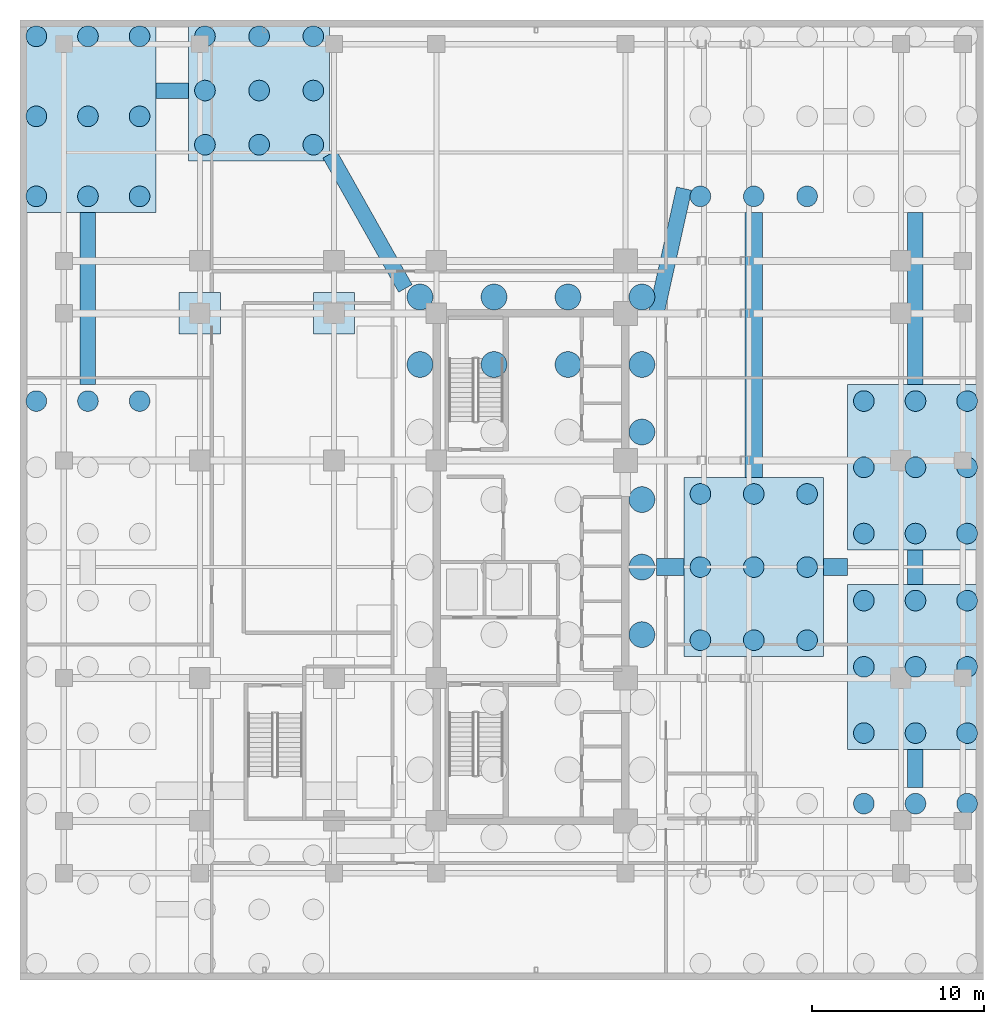
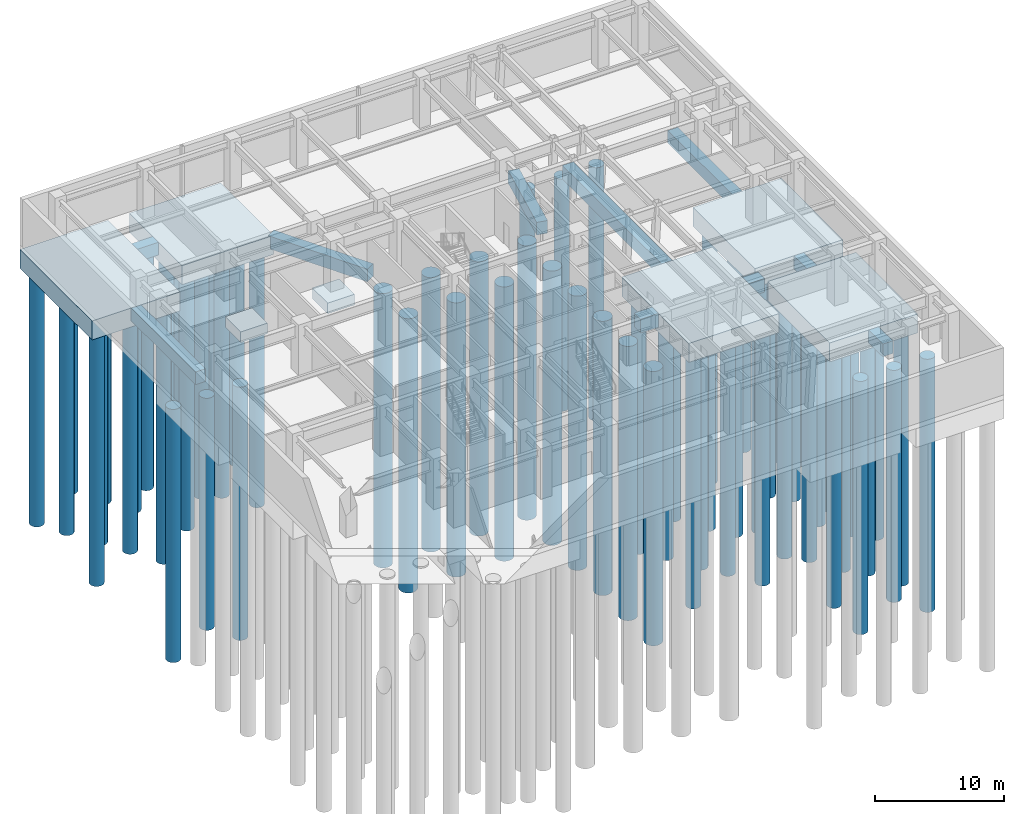
# One storey, part 2 of 13: 66 piles, 17 footings.
"""IFC4 building model written with IfcOpenShell, lengths in metres."""

from ifc_helpers import new_model, si_unit, direction, frame, origin, origin_2d, place, context, subcontext, project, spatial, polyline, rectangle, circle, outline, extrude, material, layer, layer_set, material_profile, profile_set, type_object, element, save


model = new_model("IFC4")

# Units and contexts
model_context = context("Model", 3, precision=1e-05, world=origin(), true_north=direction((0.0, 1.0)))
body_context = subcontext(model_context, "Body", "Model", "MODEL_VIEW")
ifc_project = project(units=[si_unit("LENGTHUNIT", "METRE"), si_unit("AREAUNIT", "SQUARE_METRE"), si_unit("VOLUMEUNIT", "CUBIC_METRE"), si_unit("PLANEANGLEUNIT", "RADIAN"), si_unit("MASSUNIT", "GRAM", prefix="KILO")], contexts=[model_context])

# Site, building, storey
site_placement = place(None, origin())
site = spatial("IfcSite", under=ifc_project, at=site_placement, CompositionType="ELEMENT")
building_placement = place(site_placement, origin())
building = spatial("IfcBuilding", under=site, at=building_placement, Name="Ochreholt Gables", CompositionType="ELEMENT")
storey_placement = place(building_placement, frame((0.0, 0.0, -9.60009765625)))
storey = spatial("IfcBuildingStorey", under=building, at=storey_placement, Name="B2", CompositionType="ELEMENT", Elevation=-9.60009765625)

# Footings
ifc_material_1 = material(Name="Concrete 50 MPa", Category="concrete")
ifc_material_profile_1 = material_profile(ifc_material_1, rectangle(XDim=1.0, YDim=1.300048828125, at=origin_2d()), Name="FB1000X1300")
ifc_profile_set_1 = profile_set([ifc_material_profile_1], Name="Concrete 50 MPa")
footing_type_1 = type_object("IfcFootingType", Name="FTG-BM-1000X1300", PredefinedType="FOOTING_BEAM", material=ifc_profile_set_1)
footing_1_placement = place(storey_placement, frame((42.64990234375, 29.199951171875, -1.099853515625), z_axis=(0.0, 1.0, 0.0), x_axis=(-1.0, 0.0, 0.0)))
element("IfcFooting", 1, at=footing_1_placement, inside=storey, type_object=footing_type_1, Name="Foundation Grade Beam FB-ME2", PredefinedType="FOOTING_BEAM", context=body_context, shape_type="SweptSolid", body=[
    extrude(rectangle(XDim=1.0, YDim=1.300048828125, at=origin_2d()), origin(), (0.0, 0.0, 1.0), 15.400146484375),
])
footing_2_placement = place(storey_placement, frame((37.0, 24.0, -1.099853515625), z_axis=(1.0, 0.0, 0.0), x_axis=(0.0, 1.0, 0.0)))
element("IfcFooting", 2, at=footing_2_placement, inside=storey, type_object=footing_type_1, Name="Foundation Grade Beam FB-C2", PredefinedType="FOOTING_BEAM", context=body_context, shape_type="SweptSolid", body=[
    extrude(rectangle(XDim=1.0, YDim=1.300048828125, at=origin_2d()), origin(), (0.0, 0.0, 1.0), 1.60009765625),
])
footing_3_placement = place(storey_placement, frame((46.699951171875, 24.0, -1.099853515625), z_axis=(1.0, 0.0, 0.0), x_axis=(0.0, 1.0, 0.0)))
element("IfcFooting", 3, at=footing_3_placement, inside=storey, type_object=footing_type_1, Name="Foundation Grade Beam FB-C3", PredefinedType="FOOTING_BEAM", context=body_context, shape_type="SweptSolid", body=[
    extrude(rectangle(XDim=1.0, YDim=1.300048828125, at=origin_2d()), origin(), (0.0, 0.0, 1.0), 1.400146484375),
])
ifc_material_profile_2 = material_profile(ifc_material_1, rectangle(XDim=0.89990234375, YDim=1.199951171875, at=origin_2d()), Name="FB900X1200")
ifc_profile_set_2 = profile_set([ifc_material_profile_2], Name="Concrete 50 MPa")
footing_type_2 = type_object("IfcFootingType", Name="FTG-BM-900X1200", PredefinedType="FOOTING_BEAM", material=ifc_profile_set_2)
footing_4_placement = place(storey_placement, frame((3.949951171875, 34.60009765625, -1.0498046875), z_axis=(0.0, 1.0, 0.0), x_axis=(-1.0, 0.0, 0.0)))
element("IfcFooting", 4, at=footing_4_placement, inside=storey, type_object=footing_type_2, Name="Foundation Grade Beam FB-W3", PredefinedType="FOOTING_BEAM", context=body_context, shape_type="SweptSolid", body=[
    extrude(rectangle(XDim=0.89990234375, YDim=1.199951171875, at=origin_2d()), origin(), (0.0, 0.0, 1.0), 10.0),
])
footing_5_placement = place(storey_placement, frame((52.050048828125, 11.199951171875, -1.0498046875), z_axis=(0.0, 1.0, 0.0), x_axis=(-1.0, 0.0, 0.0)))
element("IfcFooting", 5, at=footing_5_placement, inside=storey, type_object=footing_type_2, Name="Foundation Grade Beam FB-E1", PredefinedType="FOOTING_BEAM", context=body_context, shape_type="SweptSolid", body=[
    extrude(rectangle(XDim=0.89990234375, YDim=1.199951171875, at=origin_2d()), origin(), (0.0, 0.0, 1.0), 2.199951171875),
])
footing_6_placement = place(storey_placement, frame((52.050048828125, 23.0, -1.0498046875), z_axis=(0.0, 1.0, 0.0), x_axis=(-1.0, 0.0, 0.0)))
element("IfcFooting", 6, at=footing_6_placement, inside=storey, type_object=footing_type_2, Name="Foundation Grade Beam FB-E2", PredefinedType="FOOTING_BEAM", context=body_context, shape_type="SweptSolid", body=[
    extrude(rectangle(XDim=0.89990234375, YDim=1.199951171875, at=origin_2d()), origin(), (0.0, 0.0, 1.0), 2.0),
])
footing_7_placement = place(storey_placement, frame((52.050048828125, 34.60009765625, -1.0498046875), z_axis=(0.0, 1.0, 0.0), x_axis=(-1.0, 0.0, 0.0)))
element("IfcFooting", 7, at=footing_7_placement, inside=storey, type_object=footing_type_2, Name="Foundation Grade Beam FB-E3", PredefinedType="FOOTING_BEAM", context=body_context, shape_type="SweptSolid", body=[
    extrude(rectangle(XDim=0.89990234375, YDim=1.199951171875, at=origin_2d()), origin(), (0.0, 0.0, 1.0), 10.0),
])
footing_8_placement = place(storey_placement, frame((7.89990234375, 51.699951171875, -1.0498046875), z_axis=(1.0, 0.0, 0.0), x_axis=(0.0, 1.0, 0.0)))
element("IfcFooting", 8, at=footing_8_placement, inside=storey, type_object=footing_type_2, Name="Foundation Grade Beam FB-N1", PredefinedType="FOOTING_BEAM", context=body_context, shape_type="SweptSolid", body=[
    extrude(rectangle(XDim=0.89990234375, YDim=1.199951171875, at=origin_2d()), origin(), (0.0, 0.0, 1.0), 1.900146484375),
])
footing_9_placement = place(storey_placement, frame((18.0, 48.0, -1.0498046875), z_axis=(0.491310581342, -0.870984450299, 0.0), x_axis=(0.870984450299, 0.491310581342, 0.0)))
element("IfcFooting", 9, at=footing_9_placement, inside=storey, type_object=footing_type_2, Name="Foundation Grade Beam FB-N2", PredefinedType="FOOTING_BEAM", context=body_context, shape_type="SweptSolid", body=[
    extrude(rectangle(XDim=0.89990234375, YDim=1.199951171875, at=origin_2d()), origin(), (0.0, 0.0, 1.0), 8.955322265625),
])
footing_10_placement = place(storey_placement, frame((37.0, 38.800048828125, -1.0498046875), z_axis=(0.216944477077, 0.976183944688, 0.0), x_axis=(-0.976183944688, 0.216944477077, 0.0)))
element("IfcFooting", 10, at=footing_10_placement, inside=storey, type_object=footing_type_2, Name="Foundation Grade Beam FB-N3", PredefinedType="FOOTING_BEAM", context=body_context, shape_type="SweptSolid", body=[
    extrude(rectangle(XDim=0.89990234375, YDim=1.199951171875, at=origin_2d()), origin(), (0.0, 0.0, 1.0), 7.37548828125),
])
ifc_layer_1 = layer(ifc_material_1, 1.800048828125, Name="Concrete 50 MPa")
ifc_layer_set_1 = layer_set([ifc_layer_1], Name="Concrete 50 MPa")
footing_type_3 = type_object("IfcFootingType", Name="FTG-CAP-A", PredefinedType="PILE_CAP", material=ifc_layer_set_1)
footing_11_placement = place(storey_placement, frame((0.0, 0.0, -2.25)))
element("IfcFooting", 11, at=footing_11_placement, inside=storey, type_object=footing_type_3, Name="Perimeter Pile Cap CAP-NW", PredefinedType="PILE_CAP", context=body_context, shape_type="SweptSolid", body=[
    extrude(outline(polyline([(0.0, 44.60009765625), (7.89990234375, 44.60009765625), (7.89990234375, 55.800048828125), (0.0, 55.800048828125), (0.0, 44.60009765625)])), origin(), (0.0, 0.0, 1.0), 1.800048828125),
])
footing_12_placement = place(storey_placement, frame((0.0, 0.0, -2.25)))
element("IfcFooting", 12, at=footing_12_placement, inside=storey, type_object=footing_type_3, Name="Perimeter Pile Cap CAP-E1", PredefinedType="PILE_CAP", context=body_context, shape_type="SweptSolid", body=[
    extrude(outline(polyline([(48.10009765625, 13.39990234375), (56.0, 13.39990234375), (56.0, 23.0), (48.10009765625, 23.0), (48.10009765625, 13.39990234375)])), origin(), (0.0, 0.0, 1.0), 1.800048828125),
])
footing_13_placement = place(storey_placement, frame((0.0, 0.0, -2.25)))
element("IfcFooting", 13, at=footing_13_placement, inside=storey, type_object=footing_type_3, Name="Perimeter Pile Cap CAP-E2", PredefinedType="PILE_CAP", context=body_context, shape_type="SweptSolid", body=[
    extrude(outline(polyline([(48.10009765625, 25.0), (56.0, 25.0), (56.0, 34.60009765625), (48.10009765625, 34.60009765625), (48.10009765625, 25.0)])), origin(), (0.0, 0.0, 1.0), 1.800048828125),
])
ifc_layer_2 = layer(ifc_material_1, 1.800048828125, Name="Concrete 50 MPa")
ifc_layer_set_2 = layer_set([ifc_layer_2], Name="Concrete 50 MPa")
footing_type_4 = type_object("IfcFootingType", Name="FTG-CAP-B", PredefinedType="PILE_CAP", material=ifc_layer_set_2)
footing_14_placement = place(storey_placement, frame((0.0, 0.0, -2.25)))
element("IfcFooting", 14, at=footing_14_placement, inside=storey, type_object=footing_type_4, Name="Perimeter Pile Cap CAP-ME", PredefinedType="PILE_CAP", context=body_context, shape_type="SweptSolid", body=[
    extrude(outline(polyline([(38.60009765625, 18.800048828125), (46.699951171875, 18.800048828125), (46.699951171875, 29.199951171875), (38.60009765625, 29.199951171875), (38.60009765625, 18.800048828125)])), origin(), (0.0, 0.0, 1.0), 1.800048828125),
])
ifc_layer_3 = layer(ifc_material_1, 1.800048828125, Name="Concrete 50 MPa")
ifc_layer_set_3 = layer_set([ifc_layer_3], Name="Concrete 50 MPa")
footing_type_5 = type_object("IfcFootingType", Name="FTG-CAP-C", PredefinedType="PILE_CAP", material=ifc_layer_set_3)
footing_15_placement = place(storey_placement, frame((0.0, 0.0, -2.25)))
element("IfcFooting", 15, at=footing_15_placement, inside=storey, type_object=footing_type_5, Name="Perimeter Pile Cap CAP-MNW", PredefinedType="PILE_CAP", context=body_context, shape_type="SweptSolid", body=[
    extrude(outline(polyline([(9.800048828125, 47.60009765625), (18.0, 47.60009765625), (18.0, 55.800048828125), (9.800048828125, 55.800048828125), (9.800048828125, 47.60009765625)])), origin(), (0.0, 0.0, 1.0), 1.800048828125),
])
ifc_material_2 = material(Name="Concrete 40 MPa", Category="concrete")
ifc_layer_4 = layer(ifc_material_2, 1.0, Name="Concrete 40 MPa")
ifc_layer_set_4 = layer_set([ifc_layer_4], Name="Concrete 40 MPa")
footing_type_6 = type_object("IfcFootingType", Name="FTG-PAD-2400", PredefinedType="PAD_FOOTING", material=ifc_layer_set_4)
footing_16_placement = place(storey_placement, frame((0.0, 0.0, -1.449951171875)))
element("IfcFooting", 16, at=footing_16_placement, inside=storey, type_object=footing_type_6, Name="Interior Pad Footing PAD-W3", PredefinedType="PAD_FOOTING", context=body_context, shape_type="SweptSolid", body=[
    extrude(outline(polyline([(9.25, 37.550048828125), (11.64990234375, 37.550048828125), (11.64990234375, 39.949951171875), (9.25, 39.949951171875), (9.25, 37.550048828125)])), origin(), (0.0, 0.0, 1.0), 1.0),
])
footing_17_placement = place(storey_placement, frame((0.0, 0.0, -1.449951171875)))
element("IfcFooting", 17, at=footing_17_placement, inside=storey, type_object=footing_type_6, Name="Interior Pad Footing PAD-W6", PredefinedType="PAD_FOOTING", context=body_context, shape_type="SweptSolid", body=[
    extrude(outline(polyline([(17.050048828125, 37.550048828125), (19.449951171875, 37.550048828125), (19.449951171875, 39.949951171875), (17.050048828125, 39.949951171875), (17.050048828125, 37.550048828125)])), origin(), (0.0, 0.0, 1.0), 1.0),
])

# Piles
ifc_material_profile_3 = material_profile(ifc_material_1, circle(Radius=0.60009765625, at=origin_2d()), Name="PILE1200")
ifc_profile_set_3 = profile_set([ifc_material_profile_3], Name="Concrete 50 MPa")
pile_type_1 = type_object("IfcPileType", Name="PILE-1200", PredefinedType="BORED", material=ifc_profile_set_3)
pile_1_placement = place(storey_placement, frame((0.949951171875, 33.64990234375, -2.099853515625), z_axis=(0.0, 0.0, -1.0), x_axis=(1.0, 0.0, 0.0)))
element("IfcPile", 18, at=pile_1_placement, inside=storey, type_object=pile_type_1, Name="Bored Pile CAP-W2-13", PredefinedType="BORED", context=body_context, shape_type="SweptSolid", body=[
    extrude(circle(Radius=0.60009765625, at=origin_2d()), origin(), (0.0, 0.0, 1.0), 24.0),
])
pile_2_placement = place(storey_placement, frame((3.949951171875, 33.64990234375, -2.099853515625), z_axis=(0.0, 0.0, -1.0), x_axis=(1.0, 0.0, 0.0)))
element("IfcPile", 19, at=pile_2_placement, inside=storey, type_object=pile_type_1, Name="Bored Pile CAP-W2-23", PredefinedType="BORED", context=body_context, shape_type="SweptSolid", body=[
    extrude(circle(Radius=0.60009765625, at=origin_2d()), origin(), (0.0, 0.0, 1.0), 22.0),
])
for number, where, z_axis, x_axis, name in (
    (20, (6.949951171875, 33.64990234375, -2.099853515625), (0.0, 0.0, -1.0), (1.0, 0.0, 0.0), "Bored Pile CAP-W2-33"),
    (21, (0.949951171875, 45.550048828125, -2.099853515625), (0.0, 0.0, -1.0), (1.0, 0.0, 0.0), "Bored Pile CAP-NW-11"),
):
    element("IfcPile", number, at=place(storey_placement, frame(where, z_axis=z_axis, x_axis=x_axis)), inside=storey, type_object=pile_type_1, Name=name, PredefinedType="BORED", context=body_context, shape_type="SweptSolid", body=[
        extrude(circle(Radius=0.60009765625, at=origin_2d()), origin(), (0.0, 0.0, 1.0), 24.0),
    ])
pile_3_placement = place(storey_placement, frame((0.949951171875, 50.199951171875, -2.099853515625), z_axis=(0.0, 0.0, -1.0), x_axis=(1.0, 0.0, 0.0)))
element("IfcPile", 22, at=pile_3_placement, inside=storey, type_object=pile_type_1, Name="Bored Pile CAP-NW-12", PredefinedType="BORED", context=body_context, shape_type="SweptSolid", body=[
    extrude(circle(Radius=0.60009765625, at=origin_2d()), origin(), (0.0, 0.0, 1.0), 22.0),
])
pile_4_placement = place(storey_placement, frame((0.949951171875, 54.85009765625, -2.099853515625), z_axis=(0.0, 0.0, -1.0), x_axis=(1.0, 0.0, 0.0)))
element("IfcPile", 23, at=pile_4_placement, inside=storey, type_object=pile_type_1, Name="Bored Pile CAP-NW-13", PredefinedType="BORED", context=body_context, shape_type="SweptSolid", body=[
    extrude(circle(Radius=0.60009765625, at=origin_2d()), origin(), (0.0, 0.0, 1.0), 24.0),
])
pile_5_placement = place(storey_placement, frame((3.949951171875, 45.550048828125, -2.099853515625), z_axis=(0.0, 0.0, -1.0), x_axis=(1.0, 0.0, 0.0)))
element("IfcPile", 24, at=pile_5_placement, inside=storey, type_object=pile_type_1, Name="Bored Pile CAP-NW-21", PredefinedType="BORED", context=body_context, shape_type="SweptSolid", body=[
    extrude(circle(Radius=0.60009765625, at=origin_2d()), origin(), (0.0, 0.0, 1.0), 22.0),
])
pile_6_placement = place(storey_placement, frame((3.949951171875, 50.199951171875, -2.099853515625), z_axis=(0.0, 0.0, -1.0), x_axis=(1.0, 0.0, 0.0)))
element("IfcPile", 25, at=pile_6_placement, inside=storey, type_object=pile_type_1, Name="Bored Pile CAP-NW-22", PredefinedType="BORED", context=body_context, shape_type="SweptSolid", body=[
    extrude(circle(Radius=0.60009765625, at=origin_2d()), origin(), (0.0, 0.0, 1.0), 24.0),
])
pile_7_placement = place(storey_placement, frame((3.949951171875, 54.85009765625, -2.099853515625), z_axis=(0.0, 0.0, -1.0), x_axis=(1.0, 0.0, 0.0)))
element("IfcPile", 26, at=pile_7_placement, inside=storey, type_object=pile_type_1, Name="Bored Pile CAP-NW-23", PredefinedType="BORED", context=body_context, shape_type="SweptSolid", body=[
    extrude(circle(Radius=0.60009765625, at=origin_2d()), origin(), (0.0, 0.0, 1.0), 22.0),
])
pile_8_placement = place(storey_placement, frame((6.949951171875, 45.550048828125, -2.099853515625), z_axis=(0.0, 0.0, -1.0), x_axis=(1.0, 0.0, 0.0)))
element("IfcPile", 27, at=pile_8_placement, inside=storey, type_object=pile_type_1, Name="Bored Pile CAP-NW-31", PredefinedType="BORED", context=body_context, shape_type="SweptSolid", body=[
    extrude(circle(Radius=0.60009765625, at=origin_2d()), origin(), (0.0, 0.0, 1.0), 24.0),
])
pile_9_placement = place(storey_placement, frame((6.949951171875, 50.199951171875, -2.099853515625), z_axis=(0.0, 0.0, -1.0), x_axis=(1.0, 0.0, 0.0)))
element("IfcPile", 28, at=pile_9_placement, inside=storey, type_object=pile_type_1, Name="Bored Pile CAP-NW-32", PredefinedType="BORED", context=body_context, shape_type="SweptSolid", body=[
    extrude(circle(Radius=0.60009765625, at=origin_2d()), origin(), (0.0, 0.0, 1.0), 22.0),
])
for number, where, z_axis, x_axis, name in (
    (29, (6.949951171875, 54.85009765625, -2.099853515625), (0.0, 0.0, -1.0), (1.0, 0.0, 0.0), "Bored Pile CAP-NW-33"),
    (30, (10.75, 48.550048828125, -2.099853515625), (0.0, 0.0, -1.0), (1.0, 0.0, 0.0), "Bored Pile CAP-MNW-11"),
):
    element("IfcPile", number, at=place(storey_placement, frame(where, z_axis=z_axis, x_axis=x_axis)), inside=storey, type_object=pile_type_1, Name=name, PredefinedType="BORED", context=body_context, shape_type="SweptSolid", body=[
        extrude(circle(Radius=0.60009765625, at=origin_2d()), origin(), (0.0, 0.0, 1.0), 24.0),
    ])
pile_10_placement = place(storey_placement, frame((10.75, 51.699951171875, -2.099853515625), z_axis=(0.0, 0.0, -1.0), x_axis=(1.0, 0.0, 0.0)))
element("IfcPile", 31, at=pile_10_placement, inside=storey, type_object=pile_type_1, Name="Bored Pile CAP-MNW-12", PredefinedType="BORED", context=body_context, shape_type="SweptSolid", body=[
    extrude(circle(Radius=0.60009765625, at=origin_2d()), origin(), (0.0, 0.0, 1.0), 22.0),
])
pile_11_placement = place(storey_placement, frame((10.75, 54.85009765625, -2.099853515625), z_axis=(0.0, 0.0, -1.0), x_axis=(1.0, 0.0, 0.0)))
element("IfcPile", 32, at=pile_11_placement, inside=storey, type_object=pile_type_1, Name="Bored Pile CAP-MNW-13", PredefinedType="BORED", context=body_context, shape_type="SweptSolid", body=[
    extrude(circle(Radius=0.60009765625, at=origin_2d()), origin(), (0.0, 0.0, 1.0), 24.0),
])
pile_12_placement = place(storey_placement, frame((13.89990234375, 48.550048828125, -2.099853515625), z_axis=(0.0, 0.0, -1.0), x_axis=(1.0, 0.0, 0.0)))
element("IfcPile", 33, at=pile_12_placement, inside=storey, type_object=pile_type_1, Name="Bored Pile CAP-MNW-21", PredefinedType="BORED", context=body_context, shape_type="SweptSolid", body=[
    extrude(circle(Radius=0.60009765625, at=origin_2d()), origin(), (0.0, 0.0, 1.0), 22.0),
])
pile_13_placement = place(storey_placement, frame((13.89990234375, 51.699951171875, -2.099853515625), z_axis=(0.0, 0.0, -1.0), x_axis=(1.0, 0.0, 0.0)))
element("IfcPile", 34, at=pile_13_placement, inside=storey, type_object=pile_type_1, Name="Bored Pile CAP-MNW-22", PredefinedType="BORED", context=body_context, shape_type="SweptSolid", body=[
    extrude(circle(Radius=0.60009765625, at=origin_2d()), origin(), (0.0, 0.0, 1.0), 24.0),
])
pile_14_placement = place(storey_placement, frame((13.89990234375, 54.85009765625, -2.099853515625), z_axis=(0.0, 0.0, -1.0), x_axis=(1.0, 0.0, 0.0)))
element("IfcPile", 35, at=pile_14_placement, inside=storey, type_object=pile_type_1, Name="Bored Pile CAP-MNW-23", PredefinedType="BORED", context=body_context, shape_type="SweptSolid", body=[
    extrude(circle(Radius=0.60009765625, at=origin_2d()), origin(), (0.0, 0.0, 1.0), 22.0),
])
pile_15_placement = place(storey_placement, frame((17.050048828125, 48.550048828125, -2.099853515625), z_axis=(0.0, 0.0, -1.0), x_axis=(1.0, 0.0, 0.0)))
element("IfcPile", 36, at=pile_15_placement, inside=storey, type_object=pile_type_1, Name="Bored Pile CAP-MNW-31", PredefinedType="BORED", context=body_context, shape_type="SweptSolid", body=[
    extrude(circle(Radius=0.60009765625, at=origin_2d()), origin(), (0.0, 0.0, 1.0), 24.0),
])
pile_16_placement = place(storey_placement, frame((17.050048828125, 51.699951171875, -2.099853515625), z_axis=(0.0, 0.0, -1.0), x_axis=(1.0, 0.0, 0.0)))
element("IfcPile", 37, at=pile_16_placement, inside=storey, type_object=pile_type_1, Name="Bored Pile CAP-MNW-32", PredefinedType="BORED", context=body_context, shape_type="SweptSolid", body=[
    extrude(circle(Radius=0.60009765625, at=origin_2d()), origin(), (0.0, 0.0, 1.0), 22.0),
])
for number, where, z_axis, x_axis, name in (
    (38, (17.050048828125, 54.85009765625, -2.099853515625), (0.0, 0.0, -1.0), (1.0, 0.0, 0.0), "Bored Pile CAP-MNW-33"),
    (39, (39.550048828125, 19.75, -2.099853515625), (0.0, 0.0, -1.0), (1.0, 0.0, 0.0), "Bored Pile CAP-ME-11"),
):
    element("IfcPile", number, at=place(storey_placement, frame(where, z_axis=z_axis, x_axis=x_axis)), inside=storey, type_object=pile_type_1, Name=name, PredefinedType="BORED", context=body_context, shape_type="SweptSolid", body=[
        extrude(circle(Radius=0.60009765625, at=origin_2d()), origin(), (0.0, 0.0, 1.0), 24.0),
    ])
pile_17_placement = place(storey_placement, frame((39.550048828125, 24.0, -2.099853515625), z_axis=(0.0, 0.0, -1.0), x_axis=(1.0, 0.0, 0.0)))
element("IfcPile", 40, at=pile_17_placement, inside=storey, type_object=pile_type_1, Name="Bored Pile CAP-ME-12", PredefinedType="BORED", context=body_context, shape_type="SweptSolid", body=[
    extrude(circle(Radius=0.60009765625, at=origin_2d()), origin(), (0.0, 0.0, 1.0), 22.0),
])
pile_18_placement = place(storey_placement, frame((39.550048828125, 28.25, -2.099853515625), z_axis=(0.0, 0.0, -1.0), x_axis=(1.0, 0.0, 0.0)))
element("IfcPile", 41, at=pile_18_placement, inside=storey, type_object=pile_type_1, Name="Bored Pile CAP-ME-13", PredefinedType="BORED", context=body_context, shape_type="SweptSolid", body=[
    extrude(circle(Radius=0.60009765625, at=origin_2d()), origin(), (0.0, 0.0, 1.0), 24.0),
])
pile_19_placement = place(storey_placement, frame((42.64990234375, 19.75, -2.099853515625), z_axis=(0.0, 0.0, -1.0), x_axis=(1.0, 0.0, 0.0)))
element("IfcPile", 42, at=pile_19_placement, inside=storey, type_object=pile_type_1, Name="Bored Pile CAP-ME-21", PredefinedType="BORED", context=body_context, shape_type="SweptSolid", body=[
    extrude(circle(Radius=0.60009765625, at=origin_2d()), origin(), (0.0, 0.0, 1.0), 22.0),
])
pile_20_placement = place(storey_placement, frame((42.64990234375, 24.0, -2.099853515625), z_axis=(0.0, 0.0, -1.0), x_axis=(1.0, 0.0, 0.0)))
element("IfcPile", 43, at=pile_20_placement, inside=storey, type_object=pile_type_1, Name="Bored Pile CAP-ME-22", PredefinedType="BORED", context=body_context, shape_type="SweptSolid", body=[
    extrude(circle(Radius=0.60009765625, at=origin_2d()), origin(), (0.0, 0.0, 1.0), 24.0),
])
pile_21_placement = place(storey_placement, frame((42.64990234375, 28.25, -2.099853515625), z_axis=(0.0, 0.0, -1.0), x_axis=(1.0, 0.0, 0.0)))
element("IfcPile", 44, at=pile_21_placement, inside=storey, type_object=pile_type_1, Name="Bored Pile CAP-ME-23", PredefinedType="BORED", context=body_context, shape_type="SweptSolid", body=[
    extrude(circle(Radius=0.60009765625, at=origin_2d()), origin(), (0.0, 0.0, 1.0), 22.0),
])
pile_22_placement = place(storey_placement, frame((45.75, 19.75, -2.099853515625), z_axis=(0.0, 0.0, -1.0), x_axis=(1.0, 0.0, 0.0)))
element("IfcPile", 45, at=pile_22_placement, inside=storey, type_object=pile_type_1, Name="Bored Pile CAP-ME-31", PredefinedType="BORED", context=body_context, shape_type="SweptSolid", body=[
    extrude(circle(Radius=0.60009765625, at=origin_2d()), origin(), (0.0, 0.0, 1.0), 24.0),
])
pile_23_placement = place(storey_placement, frame((45.75, 24.0, -2.099853515625), z_axis=(0.0, 0.0, -1.0), x_axis=(1.0, 0.0, 0.0)))
element("IfcPile", 46, at=pile_23_placement, inside=storey, type_object=pile_type_1, Name="Bored Pile CAP-ME-32", PredefinedType="BORED", context=body_context, shape_type="SweptSolid", body=[
    extrude(circle(Radius=0.60009765625, at=origin_2d()), origin(), (0.0, 0.0, 1.0), 22.0),
])
for number, where, z_axis, x_axis, name in (
    (47, (45.75, 28.25, -2.099853515625), (0.0, 0.0, -1.0), (1.0, 0.0, 0.0), "Bored Pile CAP-ME-33"),
    (48, (39.550048828125, 45.550048828125, -2.099853515625), (0.0, 0.0, -1.0), (1.0, 0.0, 0.0), "Bored Pile CAP-MNE-11"),
):
    element("IfcPile", number, at=place(storey_placement, frame(where, z_axis=z_axis, x_axis=x_axis)), inside=storey, type_object=pile_type_1, Name=name, PredefinedType="BORED", context=body_context, shape_type="SweptSolid", body=[
        extrude(circle(Radius=0.60009765625, at=origin_2d()), origin(), (0.0, 0.0, 1.0), 24.0),
    ])
pile_24_placement = place(storey_placement, frame((42.64990234375, 45.550048828125, -2.099853515625), z_axis=(0.0, 0.0, -1.0), x_axis=(1.0, 0.0, 0.0)))
element("IfcPile", 49, at=pile_24_placement, inside=storey, type_object=pile_type_1, Name="Bored Pile CAP-MNE-21", PredefinedType="BORED", context=body_context, shape_type="SweptSolid", body=[
    extrude(circle(Radius=0.60009765625, at=origin_2d()), origin(), (0.0, 0.0, 1.0), 22.0),
])
for number, where, z_axis, x_axis, name in (
    (50, (45.75, 45.550048828125, -2.099853515625), (0.0, 0.0, -1.0), (1.0, 0.0, 0.0), "Bored Pile CAP-MNE-31"),
    (51, (49.050048828125, 10.25, -2.099853515625), (0.0, 0.0, -1.0), (1.0, 0.0, 0.0), "Bored Pile CAP-SE-13"),
):
    element("IfcPile", number, at=place(storey_placement, frame(where, z_axis=z_axis, x_axis=x_axis)), inside=storey, type_object=pile_type_1, Name=name, PredefinedType="BORED", context=body_context, shape_type="SweptSolid", body=[
        extrude(circle(Radius=0.60009765625, at=origin_2d()), origin(), (0.0, 0.0, 1.0), 24.0),
    ])
pile_25_placement = place(storey_placement, frame((52.050048828125, 10.25, -2.099853515625), z_axis=(0.0, 0.0, -1.0), x_axis=(1.0, 0.0, 0.0)))
element("IfcPile", 52, at=pile_25_placement, inside=storey, type_object=pile_type_1, Name="Bored Pile CAP-SE-23", PredefinedType="BORED", context=body_context, shape_type="SweptSolid", body=[
    extrude(circle(Radius=0.60009765625, at=origin_2d()), origin(), (0.0, 0.0, 1.0), 22.0),
])
for number, where, z_axis, x_axis, name in (
    (53, (55.050048828125, 10.25, -2.099853515625), (0.0, 0.0, -1.0), (1.0, 0.0, 0.0), "Bored Pile CAP-SE-33"),
    (54, (49.050048828125, 14.35009765625, -2.099853515625), (0.0, 0.0, -1.0), (1.0, 0.0, 0.0), "Bored Pile CAP-E1-11"),
):
    element("IfcPile", number, at=place(storey_placement, frame(where, z_axis=z_axis, x_axis=x_axis)), inside=storey, type_object=pile_type_1, Name=name, PredefinedType="BORED", context=body_context, shape_type="SweptSolid", body=[
        extrude(circle(Radius=0.60009765625, at=origin_2d()), origin(), (0.0, 0.0, 1.0), 24.0),
    ])
pile_26_placement = place(storey_placement, frame((49.050048828125, 18.199951171875, -2.099853515625), z_axis=(0.0, 0.0, -1.0), x_axis=(1.0, 0.0, 0.0)))
element("IfcPile", 55, at=pile_26_placement, inside=storey, type_object=pile_type_1, Name="Bored Pile CAP-E1-12", PredefinedType="BORED", context=body_context, shape_type="SweptSolid", body=[
    extrude(circle(Radius=0.60009765625, at=origin_2d()), origin(), (0.0, 0.0, 1.0), 22.0),
])
pile_27_placement = place(storey_placement, frame((49.050048828125, 22.050048828125, -2.099853515625), z_axis=(0.0, 0.0, -1.0), x_axis=(1.0, 0.0, 0.0)))
element("IfcPile", 56, at=pile_27_placement, inside=storey, type_object=pile_type_1, Name="Bored Pile CAP-E1-13", PredefinedType="BORED", context=body_context, shape_type="SweptSolid", body=[
    extrude(circle(Radius=0.60009765625, at=origin_2d()), origin(), (0.0, 0.0, 1.0), 24.0),
])
pile_28_placement = place(storey_placement, frame((52.050048828125, 14.35009765625, -2.099853515625), z_axis=(0.0, 0.0, -1.0), x_axis=(1.0, 0.0, 0.0)))
element("IfcPile", 57, at=pile_28_placement, inside=storey, type_object=pile_type_1, Name="Bored Pile CAP-E1-21", PredefinedType="BORED", context=body_context, shape_type="SweptSolid", body=[
    extrude(circle(Radius=0.60009765625, at=origin_2d()), origin(), (0.0, 0.0, 1.0), 22.0),
])
pile_29_placement = place(storey_placement, frame((52.050048828125, 18.199951171875, -2.099853515625), z_axis=(0.0, 0.0, -1.0), x_axis=(1.0, 0.0, 0.0)))
element("IfcPile", 58, at=pile_29_placement, inside=storey, type_object=pile_type_1, Name="Bored Pile CAP-E1-22", PredefinedType="BORED", context=body_context, shape_type="SweptSolid", body=[
    extrude(circle(Radius=0.60009765625, at=origin_2d()), origin(), (0.0, 0.0, 1.0), 24.0),
])
pile_30_placement = place(storey_placement, frame((52.050048828125, 22.050048828125, -2.099853515625), z_axis=(0.0, 0.0, -1.0), x_axis=(1.0, 0.0, 0.0)))
element("IfcPile", 59, at=pile_30_placement, inside=storey, type_object=pile_type_1, Name="Bored Pile CAP-E1-23", PredefinedType="BORED", context=body_context, shape_type="SweptSolid", body=[
    extrude(circle(Radius=0.60009765625, at=origin_2d()), origin(), (0.0, 0.0, 1.0), 22.0),
])
pile_31_placement = place(storey_placement, frame((55.050048828125, 14.35009765625, -2.099853515625), z_axis=(0.0, 0.0, -1.0), x_axis=(1.0, 0.0, 0.0)))
element("IfcPile", 60, at=pile_31_placement, inside=storey, type_object=pile_type_1, Name="Bored Pile CAP-E1-31", PredefinedType="BORED", context=body_context, shape_type="SweptSolid", body=[
    extrude(circle(Radius=0.60009765625, at=origin_2d()), origin(), (0.0, 0.0, 1.0), 24.0),
])
pile_32_placement = place(storey_placement, frame((55.050048828125, 18.199951171875, -2.099853515625), z_axis=(0.0, 0.0, -1.0), x_axis=(1.0, 0.0, 0.0)))
element("IfcPile", 61, at=pile_32_placement, inside=storey, type_object=pile_type_1, Name="Bored Pile CAP-E1-32", PredefinedType="BORED", context=body_context, shape_type="SweptSolid", body=[
    extrude(circle(Radius=0.60009765625, at=origin_2d()), origin(), (0.0, 0.0, 1.0), 22.0),
])
for number, where, z_axis, x_axis, name in (
    (62, (55.050048828125, 22.050048828125, -2.099853515625), (0.0, 0.0, -1.0), (1.0, 0.0, 0.0), "Bored Pile CAP-E1-33"),
    (63, (49.050048828125, 25.949951171875, -2.099853515625), (0.0, 0.0, -1.0), (1.0, 0.0, 0.0), "Bored Pile CAP-E2-11"),
):
    element("IfcPile", number, at=place(storey_placement, frame(where, z_axis=z_axis, x_axis=x_axis)), inside=storey, type_object=pile_type_1, Name=name, PredefinedType="BORED", context=body_context, shape_type="SweptSolid", body=[
        extrude(circle(Radius=0.60009765625, at=origin_2d()), origin(), (0.0, 0.0, 1.0), 24.0),
    ])
pile_33_placement = place(storey_placement, frame((49.050048828125, 29.800048828125, -2.099853515625), z_axis=(0.0, 0.0, -1.0), x_axis=(1.0, 0.0, 0.0)))
element("IfcPile", 64, at=pile_33_placement, inside=storey, type_object=pile_type_1, Name="Bored Pile CAP-E2-12", PredefinedType="BORED", context=body_context, shape_type="SweptSolid", body=[
    extrude(circle(Radius=0.60009765625, at=origin_2d()), origin(), (0.0, 0.0, 1.0), 22.0),
])
pile_34_placement = place(storey_placement, frame((49.050048828125, 33.64990234375, -2.099853515625), z_axis=(0.0, 0.0, -1.0), x_axis=(1.0, 0.0, 0.0)))
element("IfcPile", 65, at=pile_34_placement, inside=storey, type_object=pile_type_1, Name="Bored Pile CAP-E2-13", PredefinedType="BORED", context=body_context, shape_type="SweptSolid", body=[
    extrude(circle(Radius=0.60009765625, at=origin_2d()), origin(), (0.0, 0.0, 1.0), 24.0),
])
pile_35_placement = place(storey_placement, frame((52.050048828125, 25.949951171875, -2.099853515625), z_axis=(0.0, 0.0, -1.0), x_axis=(1.0, 0.0, 0.0)))
element("IfcPile", 66, at=pile_35_placement, inside=storey, type_object=pile_type_1, Name="Bored Pile CAP-E2-21", PredefinedType="BORED", context=body_context, shape_type="SweptSolid", body=[
    extrude(circle(Radius=0.60009765625, at=origin_2d()), origin(), (0.0, 0.0, 1.0), 22.0),
])
pile_36_placement = place(storey_placement, frame((52.050048828125, 29.800048828125, -2.099853515625), z_axis=(0.0, 0.0, -1.0), x_axis=(1.0, 0.0, 0.0)))
element("IfcPile", 67, at=pile_36_placement, inside=storey, type_object=pile_type_1, Name="Bored Pile CAP-E2-22", PredefinedType="BORED", context=body_context, shape_type="SweptSolid", body=[
    extrude(circle(Radius=0.60009765625, at=origin_2d()), origin(), (0.0, 0.0, 1.0), 24.0),
])
pile_37_placement = place(storey_placement, frame((52.050048828125, 33.64990234375, -2.099853515625), z_axis=(0.0, 0.0, -1.0), x_axis=(1.0, 0.0, 0.0)))
element("IfcPile", 68, at=pile_37_placement, inside=storey, type_object=pile_type_1, Name="Bored Pile CAP-E2-23", PredefinedType="BORED", context=body_context, shape_type="SweptSolid", body=[
    extrude(circle(Radius=0.60009765625, at=origin_2d()), origin(), (0.0, 0.0, 1.0), 22.0),
])
pile_38_placement = place(storey_placement, frame((55.050048828125, 25.949951171875, -2.099853515625), z_axis=(0.0, 0.0, -1.0), x_axis=(1.0, 0.0, 0.0)))
element("IfcPile", 69, at=pile_38_placement, inside=storey, type_object=pile_type_1, Name="Bored Pile CAP-E2-31", PredefinedType="BORED", context=body_context, shape_type="SweptSolid", body=[
    extrude(circle(Radius=0.60009765625, at=origin_2d()), origin(), (0.0, 0.0, 1.0), 24.0),
])
pile_39_placement = place(storey_placement, frame((55.050048828125, 29.800048828125, -2.099853515625), z_axis=(0.0, 0.0, -1.0), x_axis=(1.0, 0.0, 0.0)))
element("IfcPile", 70, at=pile_39_placement, inside=storey, type_object=pile_type_1, Name="Bored Pile CAP-E2-32", PredefinedType="BORED", context=body_context, shape_type="SweptSolid", body=[
    extrude(circle(Radius=0.60009765625, at=origin_2d()), origin(), (0.0, 0.0, 1.0), 22.0),
])
pile_40_placement = place(storey_placement, frame((55.050048828125, 33.64990234375, -2.099853515625), z_axis=(0.0, 0.0, -1.0), x_axis=(1.0, 0.0, 0.0)))
element("IfcPile", 71, at=pile_40_placement, inside=storey, type_object=pile_type_1, Name="Bored Pile CAP-E2-33", PredefinedType="BORED", context=body_context, shape_type="SweptSolid", body=[
    extrude(circle(Radius=0.60009765625, at=origin_2d()), origin(), (0.0, 0.0, 1.0), 24.0),
])
ifc_material_profile_4 = material_profile(ifc_material_1, circle(Radius=0.75, at=origin_2d()), Name="PILE1500")
ifc_profile_set_4 = profile_set([ifc_material_profile_4], Name="Concrete 50 MPa")
pile_type_2 = type_object("IfcPileType", Name="PILE-1500", PredefinedType="BORED", material=ifc_profile_set_4)
for number, where, z_axis, x_axis, name in (
    (72, (23.25, 35.77490234375, -2.5), (0.0, 0.0, -1.0), (1.0, 0.0, 0.0), "Core Bored Pile CR-01-08"),
    (73, (23.25, 39.699951171875, -2.5), (0.0, 0.0, -1.0), (1.0, 0.0, 0.0), "Core Bored Pile CR-01-09"),
    (74, (27.550048828125, 35.77490234375, -2.5), (0.0, 0.0, -1.0), (1.0, 0.0, 0.0), "Core Bored Pile CR-02-08"),
    (75, (27.550048828125, 39.699951171875, -2.5), (0.0, 0.0, -1.0), (1.0, 0.0, 0.0), "Core Bored Pile CR-02-09"),
    (76, (31.85009765625, 35.77490234375, -2.5), (0.0, 0.0, -1.0), (1.0, 0.0, 0.0), "Core Bored Pile CR-03-08"),
    (77, (31.85009765625, 39.699951171875, -2.5), (0.0, 0.0, -1.0), (1.0, 0.0, 0.0), "Core Bored Pile CR-03-09"),
    (78, (36.14990234375, 20.074951171875, -2.5), (0.0, 0.0, -1.0), (1.0, 0.0, 0.0), "Core Bored Pile CR-04-04"),
    (79, (36.14990234375, 24.0, -2.5), (0.0, 0.0, -1.0), (1.0, 0.0, 0.0), "Core Bored Pile CR-04-05"),
    (80, (36.14990234375, 27.925048828125, -2.5), (0.0, 0.0, -1.0), (1.0, 0.0, 0.0), "Core Bored Pile CR-04-06"),
    (81, (36.14990234375, 31.85009765625, -2.5), (0.0, 0.0, -1.0), (1.0, 0.0, 0.0), "Core Bored Pile CR-04-07"),
    (82, (36.14990234375, 35.77490234375, -2.5), (0.0, 0.0, -1.0), (1.0, 0.0, 0.0), "Core Bored Pile CR-04-08"),
    (83, (36.14990234375, 39.699951171875, -2.5), (0.0, 0.0, -1.0), (1.0, 0.0, 0.0), "Core Bored Pile CR-04-09"),
):
    element("IfcPile", number, at=place(storey_placement, frame(where, z_axis=z_axis, x_axis=x_axis)), inside=storey, type_object=pile_type_2, Name=name, PredefinedType="BORED", context=body_context, shape_type="SweptSolid", body=[
        extrude(circle(Radius=0.75, at=origin_2d()), origin(), (0.0, 0.0, 1.0), 26.0),
    ])

save(model, "model.ifc")
